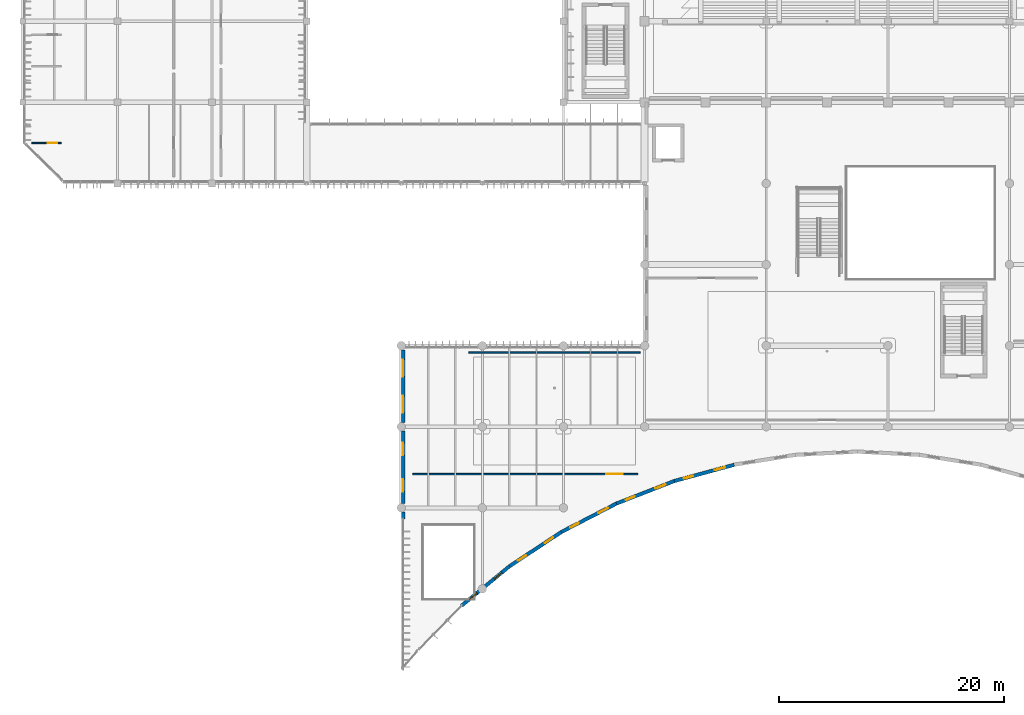
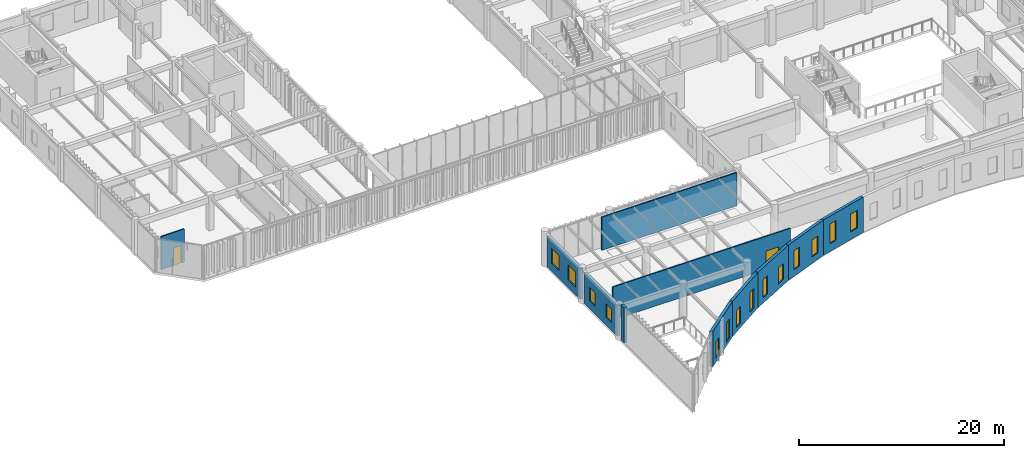
# One storey, part 38 of 122: 14 windows, 11 walls, 2 doors, 16 openings.
"""IFC4 building model written with IfcOpenShell, lengths in metres."""

from ifc_helpers import new_model, si_unit, direction, frame, frame_2d, origin, place, context, subcontext, project, spatial, rectangle, extrude, material, layer, layer_set, type_object, element, fill, save


model = new_model("IFC4")

# Units and contexts
model_context = context("Model", 3, precision=1e-05, world=origin(), true_north=direction((0.0, 1.0)))
body_context = subcontext(model_context, "Body", "Model", "MODEL_VIEW")
ifc_project = project(units=[si_unit("LENGTHUNIT", "METRE"), si_unit("AREAUNIT", "SQUARE_METRE"), si_unit("VOLUMEUNIT", "CUBIC_METRE"), si_unit("PLANEANGLEUNIT", "RADIAN"), si_unit("MASSUNIT", "GRAM", prefix="KILO")], contexts=[model_context])

# Site, building, storey
site_placement = place(None, origin())
site = spatial("IfcSite", under=ifc_project, at=site_placement, CompositionType="ELEMENT")
building_placement = place(site_placement, origin())
building = spatial("IfcBuilding", under=site, at=building_placement, Name="Tazoul Stagehouse", CompositionType="ELEMENT")
storey_placement = place(building_placement, frame((0.0, 0.0, 4.800048828125)))
storey = spatial("IfcBuildingStorey", under=building, at=storey_placement, Name="L01", CompositionType="ELEMENT", Elevation=4.800048828125)

# Wall, openings, windows
ifc_material_1 = material(Name="Ochre Fired Clay Facing Brick Masonry", Category="masonry")
ifc_layer_1 = layer(ifc_material_1, 0.320068359375, Name="Ochre Fired Clay Facing Brick Masonry")
ifc_layer_set_1 = layer_set([ifc_layer_1], Name="Ochre Fired Clay Facing Brick Masonry")
wall_type_1 = type_object("IfcWallType", Name="Concave Crescent Ochre Brick Facade Wall 320", PredefinedType="SOLIDWALL", material=ifc_layer_set_1)
wall_1_placement = place(storey_placement, frame((41.358154296875, 7.11328125, 0.0), z_axis=(0.0, 0.0, 1.0), x_axis=(0.771862443056, 0.635789563456, 0.0)))
wall_1 = element("IfcWall", 1, at=wall_1_placement, inside=storey, type_object=wall_type_1, Name="L01 Wall EW-320 (WALL-V5-L01-C03)", PredefinedType="SOLIDWALL", context=body_context, shape_type="SweptSolid", body=[
    extrude(rectangle(XDim=5.510009765625, YDim=0.320068359375, at=frame_2d((2.7548828125, 0.0))), origin(), (0.0, 0.0, 1.0), 4.199951171875),
])
opening_1_placement = place(wall_1_placement, frame((0.8974609375, 0.0, 0.448486328125)))
opening_1 = element("IfcOpeningElement", 2, at=opening_1_placement, cuts=wall_1, Name="Opening WN-06", PredefinedType="OPENING", context=body_context, shape_type="SweptSolid", body=[
    extrude(rectangle(XDim=0.85009765625, YDim=1.949951171875, at=frame_2d((0.425048828125, 0.97509765625))), frame((0.0, 0.179931640625, 0.0), z_axis=(0.0, -1.0, 0.0), x_axis=(1.0, 0.0, 0.0)), (0.0, 0.0, 1.0), 0.360107421875),
])
opening_2_placement = place(wall_1_placement, frame((3.762451171875, 0.0, 0.448486328125)))
opening_2 = element("IfcOpeningElement", 3, at=opening_2_placement, cuts=wall_1, Name="Opening WN-09", PredefinedType="OPENING", context=body_context, shape_type="SweptSolid", body=[
    extrude(rectangle(XDim=0.85009765625, YDim=2.25, at=frame_2d((0.425048828125, 1.125))), frame((0.0, 0.179931640625, 0.0), z_axis=(0.0, -1.0, 0.0), x_axis=(1.0, 0.0, 0.0)), (0.0, 0.0, 1.0), 0.360107421875),
])
ifc_material_2 = material(Name="Double Low-E Acoustic Laminated Glass", Category="glass")
window_type_1 = type_object("IfcWindowType", Name="Crescent Modulated Slot Window 850x1950", PartitioningType="SINGLE_PANEL", PredefinedType="WINDOW", material=ifc_material_2)
window_1_placement = place(opening_1_placement, origin())
window_1 = element("IfcWindow", 4, at=window_1_placement, inside=storey, type_object=window_type_1, Name="L01 Window WN-06 (WN-V5-L01-C03-1)", OverallHeight=1.949951171875, OverallWidth=0.85009765625, PartitioningType="SINGLE_PANEL", PredefinedType="WINDOW", context=body_context, shape_type="SweptSolid", body=[
    extrude(rectangle(XDim=0.85009765625, YDim=1.949951171875, at=frame_2d((0.425048828125, 0.97509765625))), frame((0.0, 0.030029296875, 0.0), z_axis=(0.0, -1.0, 0.0), x_axis=(1.0, 0.0, 0.0)), (0.0, 0.0, 1.0), 0.06005859375),
])
fill(opening_1, window_1)
window_type_2 = type_object("IfcWindowType", Name="Crescent Modulated Slot Window 850x2250", PartitioningType="SINGLE_PANEL", PredefinedType="WINDOW", material=ifc_material_2)
window_2_placement = place(opening_2_placement, origin())
window_2 = element("IfcWindow", 5, at=window_2_placement, inside=storey, type_object=window_type_2, Name="L01 Window WN-09 (WN-V5-L01-C03-2)", OverallHeight=2.25, OverallWidth=0.85009765625, PartitioningType="SINGLE_PANEL", PredefinedType="WINDOW", context=body_context, shape_type="SweptSolid", body=[
    extrude(rectangle(XDim=0.85009765625, YDim=2.25, at=frame_2d((0.425048828125, 1.125))), frame((0.0, 0.030029296875, 0.0), z_axis=(0.0, -1.0, 0.0), x_axis=(1.0, 0.0, 0.0)), (0.0, 0.0, 1.0), 0.06005859375),
])
fill(opening_2, window_2)

wall_2_placement = place(storey_placement, frame((45.611083984375, 10.616455078125, 0.0), z_axis=(0.0, 0.0, 1.0), x_axis=(0.834787412137, 0.550572408079, 0.0)))
wall_2 = element("IfcWall", 6, at=wall_2_placement, inside=storey, type_object=wall_type_1, Name="L01 Wall EW-320 (WALL-V5-L01-C04)", PredefinedType="SOLIDWALL", context=body_context, shape_type="SweptSolid", body=[
    extrude(rectangle(XDim=5.509521484375, YDim=0.320068359375, at=frame_2d((2.7548828125, 0.0))), origin(), (0.0, 0.0, 1.0), 4.199951171875),
])
opening_3_placement = place(wall_2_placement, frame((0.897216796875, 0.0, 0.51416015625)))
opening_3 = element("IfcOpeningElement", 7, at=opening_3_placement, cuts=wall_2, Name="Opening WN-07", PredefinedType="OPENING", context=body_context, shape_type="SweptSolid", body=[
    extrude(rectangle(XDim=0.85009765625, YDim=2.050048828125, at=frame_2d((0.425048828125, 1.02490234375))), frame((0.0, 0.179931640625, 0.0), z_axis=(0.0, -1.0, 0.0), x_axis=(1.0, 0.0, 0.0)), (0.0, 0.0, 1.0), 0.360107421875),
])
opening_4_placement = place(wall_2_placement, frame((3.762451171875, 0.0, 0.51416015625)))
opening_4 = element("IfcOpeningElement", 8, at=opening_4_placement, cuts=wall_2, Name="Opening WN-10", PredefinedType="OPENING", context=body_context, shape_type="SweptSolid", body=[
    extrude(rectangle(XDim=0.85009765625, YDim=2.35009765625, at=frame_2d((0.425048828125, 1.175048828125))), frame((0.0, 0.179931640625, 0.0), z_axis=(0.0, -1.0, 0.0), x_axis=(1.0, 0.0, 0.0)), (0.0, 0.0, 1.0), 0.360107421875),
])
window_type_3 = type_object("IfcWindowType", Name="Crescent Modulated Slot Window 850x2050", PartitioningType="SINGLE_PANEL", PredefinedType="WINDOW", material=ifc_material_2)
window_3_placement = place(opening_3_placement, origin())
window_3 = element("IfcWindow", 9, at=window_3_placement, inside=storey, type_object=window_type_3, Name="L01 Window WN-07 (WN-V5-L01-C04-1)", OverallHeight=2.050048828125, OverallWidth=0.85009765625, PartitioningType="SINGLE_PANEL", PredefinedType="WINDOW", context=body_context, shape_type="SweptSolid", body=[
    extrude(rectangle(XDim=0.85009765625, YDim=2.050048828125, at=frame_2d((0.425048828125, 1.02490234375))), frame((0.0, 0.030029296875, 0.0), z_axis=(0.0, -1.0, 0.0), x_axis=(1.0, 0.0, 0.0)), (0.0, 0.0, 1.0), 0.06005859375),
])
fill(opening_3, window_3)
window_type_4 = type_object("IfcWindowType", Name="Crescent Modulated Slot Window 850x2350", PartitioningType="SINGLE_PANEL", PredefinedType="WINDOW", material=ifc_material_2)
window_4_placement = place(opening_4_placement, origin())
window_4 = element("IfcWindow", 10, at=window_4_placement, inside=storey, type_object=window_type_4, Name="L01 Window WN-10 (WN-V5-L01-C04-2)", OverallHeight=2.35009765625, OverallWidth=0.85009765625, PartitioningType="SINGLE_PANEL", PredefinedType="WINDOW", context=body_context, shape_type="SweptSolid", body=[
    extrude(rectangle(XDim=0.85009765625, YDim=2.35009765625, at=frame_2d((0.425048828125, 1.175048828125))), frame((0.0, 0.030029296875, 0.0), z_axis=(0.0, -1.0, 0.0), x_axis=(1.0, 0.0, 0.0)), (0.0, 0.0, 1.0), 0.06005859375),
])
fill(opening_4, window_4)

wall_3_placement = place(storey_placement, frame((50.21044921875, 13.64990234375, 0.0), z_axis=(0.0, 0.0, 1.0), x_axis=(0.888365365521, 0.459137209713, 0.0)))
wall_3 = element("IfcWall", 11, at=wall_3_placement, inside=storey, type_object=wall_type_1, Name="L01 Wall EW-320 (WALL-V5-L01-C05)", PredefinedType="SOLIDWALL", context=body_context, shape_type="SweptSolid", body=[
    extrude(rectangle(XDim=5.509765625, YDim=0.320068359375, at=frame_2d((2.7548828125, 0.0))), origin(), (0.0, 0.0, 1.0), 4.199951171875),
])
opening_5_placement = place(wall_3_placement, frame((0.8974609375, 0.0, 0.632568359375)))
opening_5 = element("IfcOpeningElement", 12, at=opening_5_placement, cuts=wall_3, Name="Opening WN-08", PredefinedType="OPENING", context=body_context, shape_type="SweptSolid", body=[
    extrude(rectangle(XDim=0.85009765625, YDim=2.14990234375, at=frame_2d((0.425048828125, 1.074951171875))), frame((0.0, 0.179931640625, 0.0), z_axis=(0.0, -1.0, 0.0), x_axis=(1.0, 0.0, 0.0)), (0.0, 0.0, 1.0), 0.360107421875),
])
opening_6_placement = place(wall_3_placement, frame((3.71240234375, 0.0, 0.632568359375)))
opening_6 = element("IfcOpeningElement", 13, at=opening_6_placement, cuts=wall_3, Name="Opening WN-11", PredefinedType="OPENING", context=body_context, shape_type="SweptSolid", body=[
    extrude(rectangle(XDim=0.949951171875, YDim=1.89990234375, at=frame_2d((0.47509765625, 0.949951171875))), frame((0.0, 0.179931640625, 0.0), z_axis=(0.0, -1.0, 0.0), x_axis=(1.0, 0.0, 0.0)), (0.0, 0.0, 1.0), 0.360107421875),
])
window_type_5 = type_object("IfcWindowType", Name="Crescent Modulated Slot Window 850x2150", PartitioningType="SINGLE_PANEL", PredefinedType="WINDOW", material=ifc_material_2)
window_5_placement = place(opening_5_placement, origin())
window_5 = element("IfcWindow", 14, at=window_5_placement, inside=storey, type_object=window_type_5, Name="L01 Window WN-08 (WN-V5-L01-C05-1)", OverallHeight=2.14990234375, OverallWidth=0.85009765625, PartitioningType="SINGLE_PANEL", PredefinedType="WINDOW", context=body_context, shape_type="SweptSolid", body=[
    extrude(rectangle(XDim=0.85009765625, YDim=2.14990234375, at=frame_2d((0.425048828125, 1.074951171875))), frame((0.0, 0.030029296875, 0.0), z_axis=(0.0, -1.0, 0.0), x_axis=(1.0, 0.0, 0.0)), (0.0, 0.0, 1.0), 0.06005859375),
])
fill(opening_5, window_5)
window_type_6 = type_object("IfcWindowType", Name="Crescent Modulated Slot Window 950x1900", PartitioningType="SINGLE_PANEL", PredefinedType="WINDOW", material=ifc_material_2)
window_6_placement = place(opening_6_placement, origin())
window_6 = element("IfcWindow", 15, at=window_6_placement, inside=storey, type_object=window_type_6, Name="L01 Window WN-11 (WN-V5-L01-C05-2)", OverallHeight=1.89990234375, OverallWidth=0.949951171875, PartitioningType="SINGLE_PANEL", PredefinedType="WINDOW", context=body_context, shape_type="SweptSolid", body=[
    extrude(rectangle(XDim=0.949951171875, YDim=1.89990234375, at=frame_2d((0.47509765625, 0.949951171875))), frame((0.0, 0.030029296875, 0.0), z_axis=(0.0, -1.0, 0.0), x_axis=(1.0, 0.0, 0.0)), (0.0, 0.0, 1.0), 0.06005859375),
])
fill(opening_6, window_6)

wall_4_placement = place(storey_placement, frame((55.105224609375, 16.1796875, 0.0), z_axis=(0.0, 0.0, 1.0), x_axis=(0.931946449517, 0.362595939349, 0.0)))
wall_4 = element("IfcWall", 16, at=wall_4_placement, inside=storey, type_object=wall_type_1, Name="L01 Wall EW-320 (WALL-V5-L01-C06)", PredefinedType="SOLIDWALL", context=body_context, shape_type="SweptSolid", body=[
    extrude(rectangle(XDim=5.509765625, YDim=0.320068359375, at=frame_2d((2.7548828125, 0.0))), origin(), (0.0, 0.0, 1.0), 4.199951171875),
])
opening_7_placement = place(wall_4_placement, frame((0.8974609375, 0.0, 0.780029296875)))
opening_7 = element("IfcOpeningElement", 17, at=opening_7_placement, cuts=wall_4, Name="Opening WN-09", PredefinedType="OPENING", context=body_context, shape_type="SweptSolid", body=[
    extrude(rectangle(XDim=0.85009765625, YDim=2.25, at=frame_2d((0.425048828125, 1.125))), frame((0.0, 0.179931640625, 0.0), z_axis=(0.0, -1.0, 0.0), x_axis=(1.0, 0.0, 0.0)), (0.0, 0.0, 1.0), 0.360107421875),
])
opening_8_placement = place(wall_4_placement, frame((3.71240234375, 0.0, 0.780029296875)))
opening_8 = element("IfcOpeningElement", 18, at=opening_8_placement, cuts=wall_4, Name="Opening WN-12", PredefinedType="OPENING", context=body_context, shape_type="SweptSolid", body=[
    extrude(rectangle(XDim=0.949951171875, YDim=2.0, at=frame_2d((0.47509765625, 1.0))), frame((0.0, 0.179931640625, 0.0), z_axis=(0.0, -1.0, 0.0), x_axis=(1.0, 0.0, 0.0)), (0.0, 0.0, 1.0), 0.360107421875),
])
window_7_placement = place(opening_7_placement, origin())
window_7 = element("IfcWindow", 19, at=window_7_placement, inside=storey, type_object=window_type_2, Name="L01 Window WN-09 (WN-V5-L01-C06-1)", OverallHeight=2.25, OverallWidth=0.85009765625, PartitioningType="SINGLE_PANEL", PredefinedType="WINDOW", context=body_context, shape_type="SweptSolid", body=[
    extrude(rectangle(XDim=0.85009765625, YDim=2.25, at=frame_2d((0.425048828125, 1.125))), frame((0.0, 0.030029296875, 0.0), z_axis=(0.0, -1.0, 0.0), x_axis=(1.0, 0.0, 0.0)), (0.0, 0.0, 1.0), 0.06005859375),
])
fill(opening_7, window_7)
window_type_7 = type_object("IfcWindowType", Name="Crescent Modulated Slot Window 950x2000", PartitioningType="SINGLE_PANEL", PredefinedType="WINDOW", material=ifc_material_2)
window_8_placement = place(opening_8_placement, origin())
window_8 = element("IfcWindow", 20, at=window_8_placement, inside=storey, type_object=window_type_7, Name="L01 Window WN-12 (WN-V5-L01-C06-2)", OverallHeight=2.0, OverallWidth=0.949951171875, PartitioningType="SINGLE_PANEL", PredefinedType="WINDOW", context=body_context, shape_type="SweptSolid", body=[
    extrude(rectangle(XDim=0.949951171875, YDim=2.0, at=frame_2d((0.47509765625, 1.0))), frame((0.0, 0.030029296875, 0.0), z_axis=(0.0, -1.0, 0.0), x_axis=(1.0, 0.0, 0.0)), (0.0, 0.0, 1.0), 0.06005859375),
])
fill(opening_8, window_8)

wall_5_placement = place(storey_placement, frame((60.239990234375, 18.177490234375, 0.0), z_axis=(0.0, 0.0, 1.0), x_axis=(0.965092315166, 0.261909952479, 0.0)))
wall_5 = element("IfcWall", 21, at=wall_5_placement, inside=storey, type_object=wall_type_1, Name="L01 Wall EW-320 (WALL-V5-L01-C07)", PredefinedType="SOLIDWALL", context=body_context, shape_type="SweptSolid", body=[
    extrude(rectangle(XDim=5.510009765625, YDim=0.320068359375, at=frame_2d((2.7548828125, 0.0))), origin(), (0.0, 0.0, 1.0), 4.199951171875),
])
opening_9_placement = place(wall_5_placement, frame((0.8974609375, 0.0, 0.927490234375)))
opening_9 = element("IfcOpeningElement", 22, at=opening_9_placement, cuts=wall_5, Name="Opening WN-10", PredefinedType="OPENING", context=body_context, shape_type="SweptSolid", body=[
    extrude(rectangle(XDim=0.85009765625, YDim=2.35009765625, at=frame_2d((0.425048828125, 1.175048828125))), frame((0.0, 0.179931640625, 0.0), z_axis=(0.0, -1.0, 0.0), x_axis=(1.0, 0.0, 0.0)), (0.0, 0.0, 1.0), 0.360107421875),
])
opening_10_placement = place(wall_5_placement, frame((3.71240234375, 0.0, 0.927490234375)))
opening_10 = element("IfcOpeningElement", 23, at=opening_10_placement, cuts=wall_5, Name="Opening WN-13", PredefinedType="OPENING", context=body_context, shape_type="SweptSolid", body=[
    extrude(rectangle(XDim=0.949951171875, YDim=2.10009765625, at=frame_2d((0.47509765625, 1.050048828125))), frame((0.0, 0.179931640625, 0.0), z_axis=(0.0, -1.0, 0.0), x_axis=(1.0, 0.0, 0.0)), (0.0, 0.0, 1.0), 0.360107421875),
])
window_9_placement = place(opening_9_placement, origin())
window_9 = element("IfcWindow", 24, at=window_9_placement, inside=storey, type_object=window_type_4, Name="L01 Window WN-10 (WN-V5-L01-C07-1)", OverallHeight=2.35009765625, OverallWidth=0.85009765625, PartitioningType="SINGLE_PANEL", PredefinedType="WINDOW", context=body_context, shape_type="SweptSolid", body=[
    extrude(rectangle(XDim=0.85009765625, YDim=2.35009765625, at=frame_2d((0.425048828125, 1.175048828125))), frame((0.0, 0.030029296875, 0.0), z_axis=(0.0, -1.0, 0.0), x_axis=(1.0, 0.0, 0.0)), (0.0, 0.0, 1.0), 0.06005859375),
])
fill(opening_9, window_9)
window_type_8 = type_object("IfcWindowType", Name="Crescent Modulated Slot Window 950x2100", PartitioningType="SINGLE_PANEL", PredefinedType="WINDOW", material=ifc_material_2)
window_10_placement = place(opening_10_placement, origin())
window_10 = element("IfcWindow", 25, at=window_10_placement, inside=storey, type_object=window_type_8, Name="L01 Window WN-13 (WN-V5-L01-C07-2)", OverallHeight=2.10009765625, OverallWidth=0.949951171875, PartitioningType="SINGLE_PANEL", PredefinedType="WINDOW", context=body_context, shape_type="SweptSolid", body=[
    extrude(rectangle(XDim=0.949951171875, YDim=2.10009765625, at=frame_2d((0.47509765625, 1.050048828125))), frame((0.0, 0.030029296875, 0.0), z_axis=(0.0, -1.0, 0.0), x_axis=(1.0, 0.0, 0.0)), (0.0, 0.0, 1.0), 0.06005859375),
])
fill(opening_10, window_10)

# Wall
wall_6_placement = place(storey_placement, frame((36.159912109375, 14.820068359375, 0.0), z_axis=(0.0, 0.0, 1.0), x_axis=(0.0, 1.0, 0.0)))
element("IfcWall", 26, at=wall_6_placement, inside=storey, type_object=wall_type_1, Name="L01 Wall EW-320 (WALL-V5-W-L01-S1)", PredefinedType="SOLIDWALL", context=body_context, shape_type="SweptSolid", body=[
    extrude(rectangle(XDim=0.599853515625, YDim=0.320068359375, at=frame_2d((0.2998046875, 0.0))), origin(), (0.0, 0.0, 1.0), 4.199951171875),
])

# Wall, openings, windows
wall_7_placement = place(storey_placement, frame((36.159912109375, 16.179931640625, 0.0), z_axis=(0.0, 0.0, 1.0), x_axis=(0.0, 1.0, 0.0)))
wall_7 = element("IfcWall", 27, at=wall_7_placement, inside=storey, type_object=wall_type_1, Name="L01 Wall EW-320 (WALL-V5-W-L01-S2)", PredefinedType="SOLIDWALL", context=body_context, shape_type="SweptSolid", body=[
    extrude(rectangle(XDim=6.440185546875, YDim=0.320068359375, at=frame_2d((3.22021484375, 0.0))), origin(), (0.0, 0.0, 1.0), 3.65283203125),
])
opening_11_placement = place(wall_7_placement, frame((1.054931640625, 0.0, 0.949951171875)))
opening_11 = element("IfcOpeningElement", 28, at=opening_11_placement, cuts=wall_7, Name="Opening WN-40", PredefinedType="OPENING", context=body_context, shape_type="SweptSolid", body=[
    extrude(rectangle(XDim=1.110107421875, YDim=1.60009765625, at=frame_2d((0.55517578125, 0.800048828125))), frame((0.0, 0.179931640625, 0.0), z_axis=(0.0, -1.0, 0.0), x_axis=(1.0, 0.0, 0.0)), (0.0, 0.0, 1.0), 0.360107421875),
])
opening_12_placement = place(wall_7_placement, frame((4.27490234375, 0.0, 0.949951171875)))
opening_12 = element("IfcOpeningElement", 29, at=opening_12_placement, cuts=wall_7, Name="Opening WN-40", PredefinedType="OPENING", context=body_context, shape_type="SweptSolid", body=[
    extrude(rectangle(XDim=1.110107421875, YDim=1.60009765625, at=frame_2d((0.55517578125, 0.800048828125))), frame((0.0, 0.179931640625, 0.0), z_axis=(0.0, -1.0, 0.0), x_axis=(1.0, 0.0, 0.0)), (0.0, 0.0, 1.0), 0.360107421875),
])
window_type_9 = type_object("IfcWindowType", Name="Architectural Acoustic Facade Window 1110x1600", PartitioningType="SINGLE_PANEL", PredefinedType="WINDOW", material=ifc_material_2)
window_11_placement = place(opening_11_placement, origin())
window_11 = element("IfcWindow", 30, at=window_11_placement, inside=storey, type_object=window_type_9, Name="L01 Window WN-40 (WALL-V5-W-L01-S2-W1)", OverallHeight=1.60009765625, OverallWidth=1.110107421875, PartitioningType="SINGLE_PANEL", PredefinedType="WINDOW", context=body_context, shape_type="SweptSolid", body=[
    extrude(rectangle(XDim=1.110107421875, YDim=1.60009765625, at=frame_2d((0.55517578125, 0.800048828125))), frame((0.0, 0.030029296875, 0.0), z_axis=(0.0, -1.0, 0.0), x_axis=(1.0, 0.0, 0.0)), (0.0, 0.0, 1.0), 0.06005859375),
])
fill(opening_11, window_11)
window_12_placement = place(opening_12_placement, origin())
window_12 = element("IfcWindow", 31, at=window_12_placement, inside=storey, type_object=window_type_9, Name="L01 Window WN-40 (WALL-V5-W-L01-S2-W2)", OverallHeight=1.60009765625, OverallWidth=1.110107421875, PartitioningType="SINGLE_PANEL", PredefinedType="WINDOW", context=body_context, shape_type="SweptSolid", body=[
    extrude(rectangle(XDim=1.110107421875, YDim=1.60009765625, at=frame_2d((0.55517578125, 0.800048828125))), frame((0.0, 0.030029296875, 0.0), z_axis=(0.0, -1.0, 0.0), x_axis=(1.0, 0.0, 0.0)), (0.0, 0.0, 1.0), 0.06005859375),
])
fill(opening_12, window_12)

wall_8_placement = place(storey_placement, frame((36.159912109375, 23.3798828125, 0.0), z_axis=(0.0, 0.0, 1.0), x_axis=(0.0, 1.0, 0.0)))
wall_8 = element("IfcWall", 32, at=wall_8_placement, inside=storey, type_object=wall_type_1, Name="L01 Wall EW-320 (WALL-V5-W-L01-S3)", PredefinedType="SOLIDWALL", context=body_context, shape_type="SweptSolid", body=[
    extrude(rectangle(XDim=6.440185546875, YDim=0.320068359375, at=frame_2d((3.22021484375, 0.0))), origin(), (0.0, 0.0, 1.0), 3.65283203125),
])
opening_13_placement = place(wall_8_placement, frame((0.860107421875, 0.0, 0.949951171875)))
opening_13 = element("IfcOpeningElement", 33, at=opening_13_placement, cuts=wall_8, Name="Opening WN-53", PredefinedType="OPENING", context=body_context, shape_type="SweptSolid", body=[
    extrude(rectangle(XDim=1.5, YDim=1.75, at=frame_2d((0.75, 0.875))), frame((0.0, 0.179931640625, 0.0), z_axis=(0.0, -1.0, 0.0), x_axis=(1.0, 0.0, 0.0)), (0.0, 0.0, 1.0), 0.360107421875),
])
opening_14_placement = place(wall_8_placement, frame((4.080078125, 0.0, 0.949951171875)))
opening_14 = element("IfcOpeningElement", 34, at=opening_14_placement, cuts=wall_8, Name="Opening WN-53", PredefinedType="OPENING", context=body_context, shape_type="SweptSolid", body=[
    extrude(rectangle(XDim=1.5, YDim=1.75, at=frame_2d((0.75, 0.875))), frame((0.0, 0.179931640625, 0.0), z_axis=(0.0, -1.0, 0.0), x_axis=(1.0, 0.0, 0.0)), (0.0, 0.0, 1.0), 0.360107421875),
])
window_type_10 = type_object("IfcWindowType", Name="Architectural Acoustic Facade Window 1500x1750", PartitioningType="SINGLE_PANEL", PredefinedType="WINDOW", material=ifc_material_2)
window_13_placement = place(opening_13_placement, origin())
window_13 = element("IfcWindow", 35, at=window_13_placement, inside=storey, type_object=window_type_10, Name="L01 Window WN-53 (WALL-V5-W-L01-S3-W1)", OverallHeight=1.75, OverallWidth=1.5, PartitioningType="SINGLE_PANEL", PredefinedType="WINDOW", context=body_context, shape_type="SweptSolid", body=[
    extrude(rectangle(XDim=1.5, YDim=1.75, at=frame_2d((0.75, 0.875))), frame((0.0, 0.030029296875, 0.0), z_axis=(0.0, -1.0, 0.0), x_axis=(1.0, 0.0, 0.0)), (0.0, 0.0, 1.0), 0.06005859375),
])
fill(opening_13, window_13)
window_14_placement = place(opening_14_placement, origin())
window_14 = element("IfcWindow", 36, at=window_14_placement, inside=storey, type_object=window_type_10, Name="L01 Window WN-53 (WALL-V5-W-L01-S3-W2)", OverallHeight=1.75, OverallWidth=1.5, PartitioningType="SINGLE_PANEL", PredefinedType="WINDOW", context=body_context, shape_type="SweptSolid", body=[
    extrude(rectangle(XDim=1.5, YDim=1.75, at=frame_2d((0.75, 0.875))), frame((0.0, 0.030029296875, 0.0), z_axis=(0.0, -1.0, 0.0), x_axis=(1.0, 0.0, 0.0)), (0.0, 0.0, 1.0), 0.06005859375),
])
fill(opening_14, window_14)

# Wall
ifc_material_3 = material(Name="Gypsum Acoustic Partition", Category="gypsum")
ifc_layer_2 = layer(ifc_material_3, 0.1298828125, Name="Gypsum Acoustic Partition")
ifc_layer_set_2 = layer_set([ifc_layer_2], Name="Gypsum Acoustic Partition")
wall_type_2 = type_object("IfcWallType", Name="Office Drywall Partition 130", PredefinedType="PARTITIONING", material=ifc_layer_set_2)
wall_9_placement = place(storey_placement, frame((42.0, 29.60009765625, 0.0), z_axis=(0.0, 0.0, 1.0), x_axis=(1.0, 0.0, 0.0)))
element("IfcWall", 37, at=wall_9_placement, inside=storey, type_object=wall_type_2, Name="L01 Partition PW-130 (PW-RM-L01-037-N)", PredefinedType="PARTITIONING", context=body_context, shape_type="SweptSolid", body=[
    extrude(rectangle(XDim=15.199951171875, YDim=0.1298828125, at=frame_2d((7.60009765625, 0.0))), origin(), (0.0, 0.0, 1.0), 3.93994140625),
])

# Wall, opening, door
wall_10_placement = place(storey_placement, frame((37.0, 18.800048828125, 0.0), z_axis=(0.0, 0.0, 1.0), x_axis=(1.0, 0.0, 0.0)))
wall_10 = element("IfcWall", 38, at=wall_10_placement, inside=storey, type_object=wall_type_2, Name="L01 Partition PW-130 (PW-RM-L01-115-N)", PredefinedType="PARTITIONING", context=body_context, shape_type="SweptSolid", body=[
    extrude(rectangle(XDim=20.0, YDim=0.1298828125, at=frame_2d((10.0, 0.0))), origin(), (0.0, 0.0, 1.0), 3.93994140625),
])
opening_15_placement = place(wall_10_placement, frame((17.208251953125, 0.0, 0.0)))
opening_15 = element("IfcOpeningElement", 39, at=opening_15_placement, cuts=wall_10, Name="Opening ID-21", PredefinedType="OPENING", context=body_context, shape_type="SweptSolid", body=[
    extrude(rectangle(XDim=1.449951171875, YDim=2.199951171875, at=frame_2d((0.72509765625, 1.10009765625))), frame((0.0, 0.0849609375, 0.0), z_axis=(0.0, -1.0, 0.0), x_axis=(1.0, 0.0, 0.0)), (0.0, 0.0, 1.0), 0.169921875),
])
ifc_material_4 = material(Name="Acoustic Cedar Timber", Category="wood")
door_type_1 = type_object("IfcDoorType", Name="Press Conference Double Door 1450x2200", OperationType="DOUBLE_DOOR_SINGLE_SWING", PredefinedType="DOOR", material=ifc_material_4)
door_1_placement = place(opening_15_placement, origin())
door_1 = element("IfcDoor", 40, at=door_1_placement, inside=storey, type_object=door_type_1, Name="L01 Crescent West Patron Interval Salon Door", OperationType="DOUBLE_DOOR_SINGLE_SWING", OverallHeight=2.199951171875, OverallWidth=1.449951171875, PredefinedType="DOOR", context=body_context, shape_type="SweptSolid", body=[
    extrude(rectangle(XDim=1.449951171875, YDim=2.199951171875, at=frame_2d((0.72509765625, 1.10009765625))), frame((0.0, 0.02490234375, 0.0), z_axis=(0.0, -1.0, 0.0), x_axis=(1.0, 0.0, 0.0)), (0.0, 0.0, 1.0), 0.050048828125),
])
fill(opening_15, door_1)

ifc_layer_3 = layer(ifc_material_3, 0.110107421875, Name="Gypsum Acoustic Partition")
ifc_layer_set_3 = layer_set([ifc_layer_3], Name="Gypsum Acoustic Partition")
wall_type_3 = type_object("IfcWallType", Name="Wet-Area Tile Backing Partition 110", PredefinedType="PARTITIONING", material=ifc_layer_set_3)
wall_11_placement = place(storey_placement, frame((3.199951171875, 48.199951171875, 0.0), z_axis=(0.0, 0.0, 1.0), x_axis=(1.0, 0.0, 0.0)))
wall_11 = element("IfcWall", 41, at=wall_11_placement, inside=storey, type_object=wall_type_3, Name="L01 Partition PW-110 (PW-RM-L01-048-N)", PredefinedType="PARTITIONING", context=body_context, shape_type="SweptSolid", body=[
    extrude(rectangle(XDim=2.60009765625, YDim=0.110107421875, at=frame_2d((1.300048828125, 0.0))), origin(), (0.0, 0.0, 1.0), 3.93994140625),
])
opening_16_placement = place(wall_11_placement, frame((1.39990234375, 0.0, 0.0)))
opening_16 = element("IfcOpeningElement", 42, at=opening_16_placement, cuts=wall_11, Name="Opening ID-01", PredefinedType="OPENING", context=body_context, shape_type="SweptSolid", body=[
    extrude(rectangle(XDim=0.85009765625, YDim=2.10009765625, at=frame_2d((0.425048828125, 1.050048828125))), frame((0.0, 0.074951171875, 0.0), z_axis=(0.0, -1.0, 0.0), x_axis=(1.0, 0.0, 0.0)), (0.0, 0.0, 1.0), 0.150146484375),
])
door_type_2 = type_object("IfcDoorType", Name="En-Suite Bathroom Door 850x2100", OperationType="NOTDEFINED", PredefinedType="DOOR", material=ifc_material_4)
door_2_placement = place(opening_16_placement, origin())
door_2 = element("IfcDoor", 43, at=door_2_placement, inside=storey, type_object=door_type_2, Name="L01 En-Suite Shower WC 05 Door", OperationType="SINGLE_SWING_RIGHT", OverallHeight=2.10009765625, OverallWidth=0.85009765625, PredefinedType="DOOR", context=body_context, shape_type="SweptSolid", body=[
    extrude(rectangle(XDim=0.85009765625, YDim=2.10009765625, at=frame_2d((0.425048828125, 1.050048828125))), frame((0.0, 0.02490234375, 0.0), z_axis=(0.0, -1.0, 0.0), x_axis=(1.0, 0.0, 0.0)), (0.0, 0.0, 1.0), 0.050048828125),
])
fill(opening_16, door_2)

save(model, "model.ifc")
